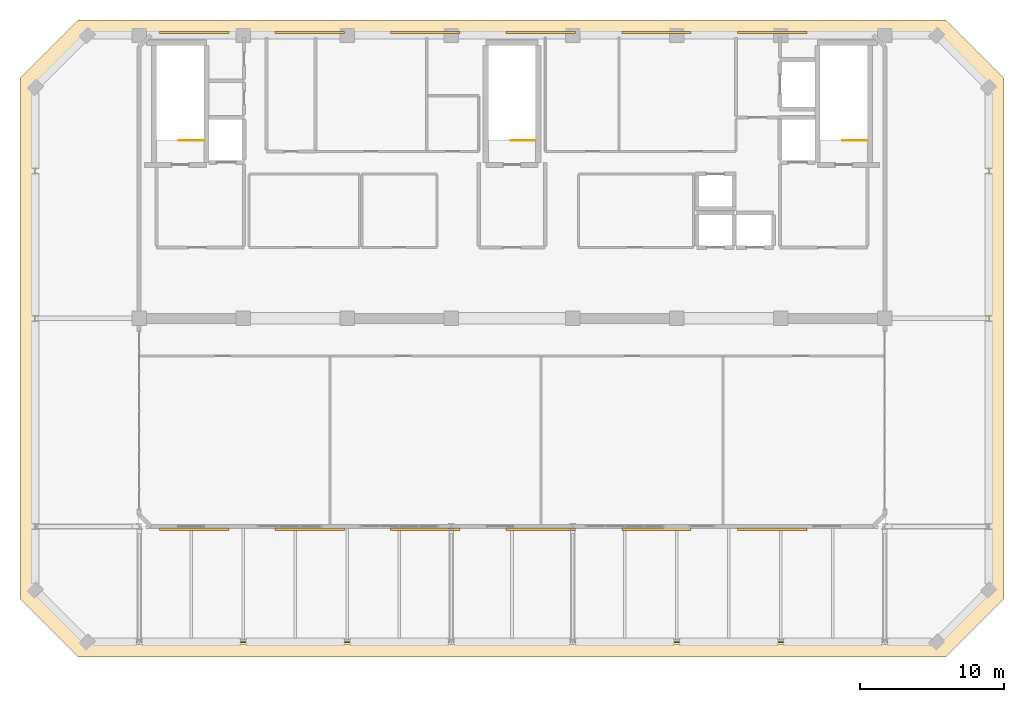
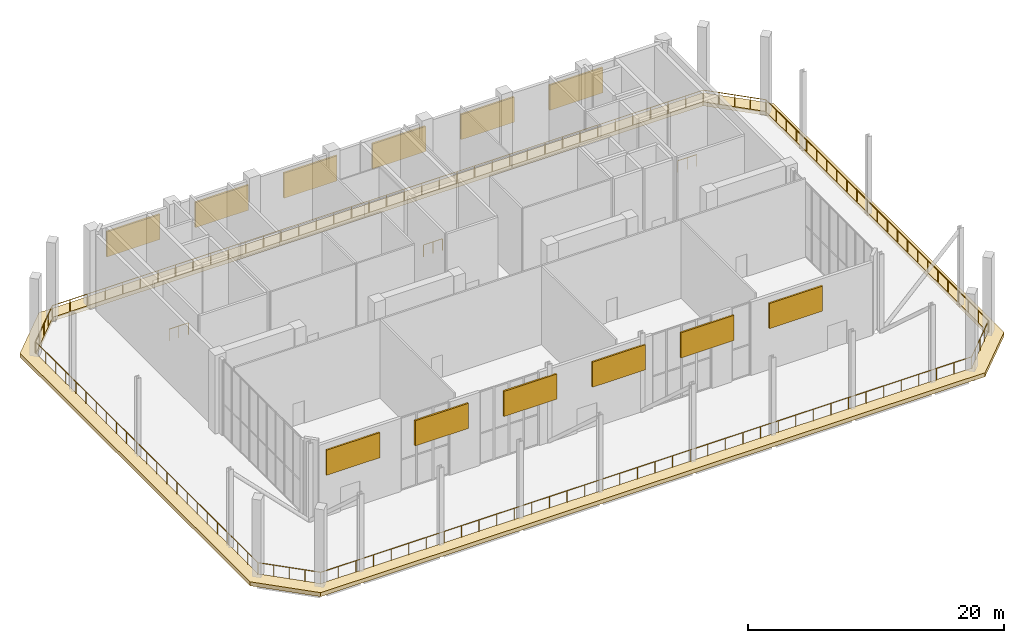
# One storey, part 23 of 23: 12 shading devices, 4 railings, 1 covering.
"""IFC4 building model written with IfcOpenShell, lengths in metres."""

from ifc_helpers import new_model, si_unit, direction, frame, origin, origin_2d, place, context, subcontext, project, spatial, polyline, rectangle, outline, extrude, material, layer, layer_set, type_object, element, save


model = new_model("IFC4")

# Units and contexts
model_context = context("Model", 3, precision=1e-05, world=origin(), true_north=direction((0.0, 1.0)))
body_context = subcontext(model_context, "Body", "Model", "MODEL_VIEW")
ifc_project = project(units=[si_unit("LENGTHUNIT", "METRE"), si_unit("AREAUNIT", "SQUARE_METRE"), si_unit("VOLUMEUNIT", "CUBIC_METRE"), si_unit("PLANEANGLEUNIT", "RADIAN"), si_unit("MASSUNIT", "GRAM", prefix="KILO")], contexts=[model_context])

# Site, building, storey
site_placement = place(None, origin())
site = spatial("IfcSite", under=ifc_project, at=site_placement, CompositionType="ELEMENT")
building_placement = place(site_placement, origin())
building = spatial("IfcBuilding", under=site, at=building_placement, Name="Kaelvorn Grand Hotel", CompositionType="ELEMENT")
storey_placement = place(building_placement, frame((0.0, 0.0, 310.699951171875)))
storey = spatial("IfcBuildingStorey", under=building, at=storey_placement, Name="L75", CompositionType="ELEMENT", Elevation=310.699951171875)

# Covering
ifc_material_1 = material(Name="Precast concrete C45/55", Category="concrete")
ifc_layer = layer(ifc_material_1, 0.260009765625)
ifc_layer_set = layer_set([ifc_layer], Name="Precast concrete C45/55")
covering_type = type_object("IfcCoveringType", Name="COV-BAND-STREAMLINE-HEAD", PredefinedType="CLADDING", material=ifc_layer_set)
covering_placement = place(storey_placement, frame((0.0, 0.0, -0.300048828125)))
element("IfcCovering", 1, at=covering_placement, inside=storey, type_object=covering_type, Name="L75 Streamline Moderne Wraparound Horizontal Eyebrow Band", PredefinedType="CLADDING", context=body_context, shape_type="SweptSolid", body=[
    extrude(outline(polyline([(11.989990234375, 5.949951171875), (72.010009765625, 5.949951171875), (76.050048828125, 9.989990234375), (76.050048828125, 46.010009765625), (72.010009765625, 50.050048828125), (11.989990234375, 50.050048828125), (7.949951171875, 46.010009765625), (7.949951171875, 9.989990234375), (11.989990234375, 5.949951171875)]), holes=[polyline([(12.6201171875, 7.030029296875), (71.3798828125, 7.030029296875), (74.969970703125, 10.6201171875), (74.969970703125, 45.3798828125), (71.3798828125, 48.969970703125), (12.6201171875, 48.969970703125), (9.030029296875, 45.3798828125), (9.030029296875, 10.6201171875), (12.6201171875, 7.030029296875)])]), origin(), (0.0, 0.0, 1.0), 0.380126953125),
])

# Railings
ifc_material_2 = material(Name="Stainless Steel", Category="steel")
railing_type_1 = type_object("IfcRailingType", Name="RL-OBS-1200", PredefinedType="BALUSTRADE", material=ifc_material_2)
railing_1_placement = place(storey_placement, frame((12.60009765625, 7.0, 0.0)))
element("IfcRailing", 2, at=railing_1_placement, inside=storey, type_object=railing_type_1, Name="L75 Open Observation Deck Perimeter Balustrade", PredefinedType="BALUSTRADE", context=body_context, shape_type="SweptSolid", body=[
    extrude(rectangle(XDim=0.048095703125, YDim=0.048095703125, at=origin_2d()), frame((0.0, 0.0, 1.17578125), z_axis=(1.0, 0.0, 0.0), x_axis=(0.0, 1.0, 0.0)), (0.0, 0.0, 1.0), 58.7998046875),
    extrude(rectangle(XDim=0.048095703125, YDim=0.048095703125, at=origin_2d()), frame((58.7998046875, 0.0, 1.17578125), z_axis=(0.707106781187, 0.707106781187, 0.0), x_axis=(-0.707106781187, 0.707106781187, 0.0)), (0.0, 0.0, 1.0), 5.09130859375),
    extrude(rectangle(XDim=0.048095703125, YDim=0.048095703125, at=origin_2d()), frame((62.39990234375, 3.60009765625, 1.17578125), z_axis=(0.0, 1.0, 0.0), x_axis=(-1.0, 0.0, 0.0)), (0.0, 0.0, 1.0), 34.7998046875),
    extrude(rectangle(XDim=0.048095703125, YDim=0.048095703125, at=origin_2d()), frame((62.39990234375, 38.39990234375, 1.17578125), z_axis=(-0.707106781187, 0.707106781187, 0.0), x_axis=(-0.707106781187, -0.707106781187, 0.0)), (0.0, 0.0, 1.0), 5.09130859375),
    extrude(rectangle(XDim=0.048095703125, YDim=0.048095703125, at=origin_2d()), frame((58.7998046875, 42.0, 1.17578125), z_axis=(-1.0, 0.0, 0.0), x_axis=(0.0, -1.0, 0.0)), (0.0, 0.0, 1.0), 58.7998046875),
    extrude(rectangle(XDim=0.048095703125, YDim=0.048095703125, at=origin_2d()), frame((0.0, 42.0, 1.17578125), z_axis=(-0.707106781187, -0.707106781187, 0.0), x_axis=(0.707106781187, -0.707106781187, 0.0)), (0.0, 0.0, 1.0), 5.09130859375),
    extrude(rectangle(XDim=0.048095703125, YDim=0.048095703125, at=origin_2d()), frame((-3.60009765625, 38.39990234375, 1.17578125), z_axis=(0.0, -1.0, 0.0), x_axis=(1.0, 0.0, 0.0)), (0.0, 0.0, 1.0), 34.7998046875),
    extrude(rectangle(XDim=0.048095703125, YDim=0.048095703125, at=origin_2d()), frame((-3.60009765625, 3.60009765625, 1.17578125), z_axis=(0.707106781187, -0.707106781187, 0.0), x_axis=(0.707106781187, 0.707106781187, 0.0)), (0.0, 0.0, 1.0), 5.09130859375),
    extrude(rectangle(XDim=0.0419921875, YDim=0.0419921875, at=origin_2d()), origin(), (0.0, 0.0, 1.0), 1.15185546875),
    extrude(rectangle(XDim=0.0419921875, YDim=0.0419921875, at=origin_2d()), frame((1.589111328125, 0.0, 0.0)), (0.0, 0.0, 1.0), 1.15185546875),
    extrude(rectangle(XDim=0.0419921875, YDim=0.0419921875, at=origin_2d()), frame((3.178466796875, 0.0, 0.0)), (0.0, 0.0, 1.0), 1.15185546875),
    extrude(rectangle(XDim=0.0419921875, YDim=0.0419921875, at=origin_2d()), frame((4.767578125, 0.0, 0.0)), (0.0, 0.0, 1.0), 1.15185546875),
    extrude(rectangle(XDim=0.0419921875, YDim=0.0419921875, at=origin_2d()), frame((6.356689453125, 0.0, 0.0)), (0.0, 0.0, 1.0), 1.15185546875),
    extrude(rectangle(XDim=0.0419921875, YDim=0.0419921875, at=origin_2d()), frame((7.94580078125, 0.0, 0.0)), (0.0, 0.0, 1.0), 1.15185546875),
    extrude(rectangle(XDim=0.0419921875, YDim=0.0419921875, at=origin_2d()), frame((9.53515625, 0.0, 0.0)), (0.0, 0.0, 1.0), 1.15185546875),
    extrude(rectangle(XDim=0.0419921875, YDim=0.0419921875, at=origin_2d()), frame((11.124267578125, 0.0, 0.0)), (0.0, 0.0, 1.0), 1.15185546875),
    extrude(rectangle(XDim=0.0419921875, YDim=0.0419921875, at=origin_2d()), frame((12.71337890625, 0.0, 0.0)), (0.0, 0.0, 1.0), 1.15185546875),
    extrude(rectangle(XDim=0.0419921875, YDim=0.0419921875, at=origin_2d()), frame((14.302734375, 0.0, 0.0)), (0.0, 0.0, 1.0), 1.15185546875),
    extrude(rectangle(XDim=0.0419921875, YDim=0.0419921875, at=origin_2d()), frame((15.891845703125, 0.0, 0.0)), (0.0, 0.0, 1.0), 1.15185546875),
    extrude(rectangle(XDim=0.0419921875, YDim=0.0419921875, at=origin_2d()), frame((17.48095703125, 0.0, 0.0)), (0.0, 0.0, 1.0), 1.15185546875),
    extrude(rectangle(XDim=0.0419921875, YDim=0.0419921875, at=origin_2d()), frame((19.0703125, 0.0, 0.0)), (0.0, 0.0, 1.0), 1.15185546875),
    extrude(rectangle(XDim=0.0419921875, YDim=0.0419921875, at=origin_2d()), frame((20.659423828125, 0.0, 0.0)), (0.0, 0.0, 1.0), 1.15185546875),
    extrude(rectangle(XDim=0.0419921875, YDim=0.0419921875, at=origin_2d()), frame((22.24853515625, 0.0, 0.0)), (0.0, 0.0, 1.0), 1.15185546875),
    extrude(rectangle(XDim=0.0419921875, YDim=0.0419921875, at=origin_2d()), frame((23.837646484375, 0.0, 0.0)), (0.0, 0.0, 1.0), 1.15185546875),
    extrude(rectangle(XDim=0.0419921875, YDim=0.0419921875, at=origin_2d()), frame((25.427001953125, 0.0, 0.0)), (0.0, 0.0, 1.0), 1.15185546875),
    extrude(rectangle(XDim=0.0419921875, YDim=0.0419921875, at=origin_2d()), frame((27.01611328125, 0.0, 0.0)), (0.0, 0.0, 1.0), 1.15185546875),
    extrude(rectangle(XDim=0.0419921875, YDim=0.0419921875, at=origin_2d()), frame((28.605224609375, 0.0, 0.0)), (0.0, 0.0, 1.0), 1.15185546875),
    extrude(rectangle(XDim=0.0419921875, YDim=0.0419921875, at=origin_2d()), frame((30.194580078125, 0.0, 0.0)), (0.0, 0.0, 1.0), 1.15185546875),
    extrude(rectangle(XDim=0.0419921875, YDim=0.0419921875, at=origin_2d()), frame((31.78369140625, 0.0, 0.0)), (0.0, 0.0, 1.0), 1.15185546875),
    extrude(rectangle(XDim=0.0419921875, YDim=0.0419921875, at=origin_2d()), frame((33.372802734375, 0.0, 0.0)), (0.0, 0.0, 1.0), 1.15185546875),
    extrude(rectangle(XDim=0.0419921875, YDim=0.0419921875, at=origin_2d()), frame((34.962158203125, 0.0, 0.0)), (0.0, 0.0, 1.0), 1.15185546875),
    extrude(rectangle(XDim=0.0419921875, YDim=0.0419921875, at=origin_2d()), frame((36.55126953125, 0.0, 0.0)), (0.0, 0.0, 1.0), 1.15185546875),
    extrude(rectangle(XDim=0.0419921875, YDim=0.0419921875, at=origin_2d()), frame((38.140380859375, 0.0, 0.0)), (0.0, 0.0, 1.0), 1.15185546875),
    extrude(rectangle(XDim=0.0419921875, YDim=0.0419921875, at=origin_2d()), frame((39.7294921875, 0.0, 0.0)), (0.0, 0.0, 1.0), 1.15185546875),
    extrude(rectangle(XDim=0.0419921875, YDim=0.0419921875, at=origin_2d()), frame((41.31884765625, 0.0, 0.0)), (0.0, 0.0, 1.0), 1.15185546875),
    extrude(rectangle(XDim=0.0419921875, YDim=0.0419921875, at=origin_2d()), frame((42.907958984375, 0.0, 0.0)), (0.0, 0.0, 1.0), 1.15185546875),
    extrude(rectangle(XDim=0.0419921875, YDim=0.0419921875, at=origin_2d()), frame((44.4970703125, 0.0, 0.0)), (0.0, 0.0, 1.0), 1.15185546875),
    extrude(rectangle(XDim=0.0419921875, YDim=0.0419921875, at=origin_2d()), frame((46.08642578125, 0.0, 0.0)), (0.0, 0.0, 1.0), 1.15185546875),
    extrude(rectangle(XDim=0.0419921875, YDim=0.0419921875, at=origin_2d()), frame((47.675537109375, 0.0, 0.0)), (0.0, 0.0, 1.0), 1.15185546875),
    extrude(rectangle(XDim=0.0419921875, YDim=0.0419921875, at=origin_2d()), frame((49.2646484375, 0.0, 0.0)), (0.0, 0.0, 1.0), 1.15185546875),
    extrude(rectangle(XDim=0.0419921875, YDim=0.0419921875, at=origin_2d()), frame((50.85400390625, 0.0, 0.0)), (0.0, 0.0, 1.0), 1.15185546875),
    extrude(rectangle(XDim=0.0419921875, YDim=0.0419921875, at=origin_2d()), frame((52.443115234375, 0.0, 0.0)), (0.0, 0.0, 1.0), 1.15185546875),
    extrude(rectangle(XDim=0.0419921875, YDim=0.0419921875, at=origin_2d()), frame((54.0322265625, 0.0, 0.0)), (0.0, 0.0, 1.0), 1.15185546875),
    extrude(rectangle(XDim=0.0419921875, YDim=0.0419921875, at=origin_2d()), frame((55.621337890625, 0.0, 0.0)), (0.0, 0.0, 1.0), 1.15185546875),
    extrude(rectangle(XDim=0.0419921875, YDim=0.0419921875, at=origin_2d()), frame((57.210693359375, 0.0, 0.0)), (0.0, 0.0, 1.0), 1.15185546875),
    extrude(rectangle(XDim=0.0419921875, YDim=0.0419921875, at=origin_2d()), frame((58.7998046875, 0.0, 0.0)), (0.0, 0.0, 1.0), 1.15185546875),
    extrude(rectangle(XDim=0.0419921875, YDim=0.0419921875, at=origin_2d()), frame((59.69970703125, 0.89990234375, 0.0)), (0.0, 0.0, 1.0), 1.15185546875),
    extrude(rectangle(XDim=0.0419921875, YDim=0.0419921875, at=origin_2d()), frame((60.599853515625, 1.800048828125, 0.0)), (0.0, 0.0, 1.0), 1.15185546875),
    extrude(rectangle(XDim=0.0419921875, YDim=0.0419921875, at=origin_2d()), frame((61.5, 2.7001953125, 0.0)), (0.0, 0.0, 1.0), 1.15185546875),
    extrude(rectangle(XDim=0.0419921875, YDim=0.0419921875, at=origin_2d()), frame((62.39990234375, 3.60009765625, 0.0)), (0.0, 0.0, 1.0), 1.15185546875),
    extrude(rectangle(XDim=0.0419921875, YDim=0.0419921875, at=origin_2d()), frame((62.39990234375, 5.181884765625, 0.0)), (0.0, 0.0, 1.0), 1.15185546875),
    extrude(rectangle(XDim=0.0419921875, YDim=0.0419921875, at=origin_2d()), frame((62.39990234375, 6.763671875, 0.0)), (0.0, 0.0, 1.0), 1.15185546875),
    extrude(rectangle(XDim=0.0419921875, YDim=0.0419921875, at=origin_2d()), frame((62.39990234375, 8.345458984375, 0.0)), (0.0, 0.0, 1.0), 1.15185546875),
    extrude(rectangle(XDim=0.0419921875, YDim=0.0419921875, at=origin_2d()), frame((62.39990234375, 9.92724609375, 0.0)), (0.0, 0.0, 1.0), 1.15185546875),
    extrude(rectangle(XDim=0.0419921875, YDim=0.0419921875, at=origin_2d()), frame((62.39990234375, 11.509033203125, 0.0)), (0.0, 0.0, 1.0), 1.15185546875),
    extrude(rectangle(XDim=0.0419921875, YDim=0.0419921875, at=origin_2d()), frame((62.39990234375, 13.091064453125, 0.0)), (0.0, 0.0, 1.0), 1.15185546875),
    extrude(rectangle(XDim=0.0419921875, YDim=0.0419921875, at=origin_2d()), frame((62.39990234375, 14.6728515625, 0.0)), (0.0, 0.0, 1.0), 1.15185546875),
    extrude(rectangle(XDim=0.0419921875, YDim=0.0419921875, at=origin_2d()), frame((62.39990234375, 16.254638671875, 0.0)), (0.0, 0.0, 1.0), 1.15185546875),
    extrude(rectangle(XDim=0.0419921875, YDim=0.0419921875, at=origin_2d()), frame((62.39990234375, 17.83642578125, 0.0)), (0.0, 0.0, 1.0), 1.15185546875),
    extrude(rectangle(XDim=0.0419921875, YDim=0.0419921875, at=origin_2d()), frame((62.39990234375, 19.418212890625, 0.0)), (0.0, 0.0, 1.0), 1.15185546875),
    extrude(rectangle(XDim=0.0419921875, YDim=0.0419921875, at=origin_2d()), frame((62.39990234375, 21.0, 0.0)), (0.0, 0.0, 1.0), 1.15185546875),
    extrude(rectangle(XDim=0.0419921875, YDim=0.0419921875, at=origin_2d()), frame((62.39990234375, 22.581787109375, 0.0)), (0.0, 0.0, 1.0), 1.15185546875),
    extrude(rectangle(XDim=0.0419921875, YDim=0.0419921875, at=origin_2d()), frame((62.39990234375, 24.16357421875, 0.0)), (0.0, 0.0, 1.0), 1.15185546875),
    extrude(rectangle(XDim=0.0419921875, YDim=0.0419921875, at=origin_2d()), frame((62.39990234375, 25.745361328125, 0.0)), (0.0, 0.0, 1.0), 1.15185546875),
    extrude(rectangle(XDim=0.0419921875, YDim=0.0419921875, at=origin_2d()), frame((62.39990234375, 27.3271484375, 0.0)), (0.0, 0.0, 1.0), 1.15185546875),
    extrude(rectangle(XDim=0.0419921875, YDim=0.0419921875, at=origin_2d()), frame((62.39990234375, 28.908935546875, 0.0)), (0.0, 0.0, 1.0), 1.15185546875),
    extrude(rectangle(XDim=0.0419921875, YDim=0.0419921875, at=origin_2d()), frame((62.39990234375, 30.490966796875, 0.0)), (0.0, 0.0, 1.0), 1.15185546875),
    extrude(rectangle(XDim=0.0419921875, YDim=0.0419921875, at=origin_2d()), frame((62.39990234375, 32.07275390625, 0.0)), (0.0, 0.0, 1.0), 1.15185546875),
    extrude(rectangle(XDim=0.0419921875, YDim=0.0419921875, at=origin_2d()), frame((62.39990234375, 33.654541015625, 0.0)), (0.0, 0.0, 1.0), 1.15185546875),
    extrude(rectangle(XDim=0.0419921875, YDim=0.0419921875, at=origin_2d()), frame((62.39990234375, 35.236328125, 0.0)), (0.0, 0.0, 1.0), 1.15185546875),
    extrude(rectangle(XDim=0.0419921875, YDim=0.0419921875, at=origin_2d()), frame((62.39990234375, 36.818115234375, 0.0)), (0.0, 0.0, 1.0), 1.15185546875),
    extrude(rectangle(XDim=0.0419921875, YDim=0.0419921875, at=origin_2d()), frame((62.39990234375, 38.39990234375, 0.0)), (0.0, 0.0, 1.0), 1.15185546875),
    extrude(rectangle(XDim=0.0419921875, YDim=0.0419921875, at=origin_2d()), frame((61.5, 39.2998046875, 0.0)), (0.0, 0.0, 1.0), 1.15185546875),
    extrude(rectangle(XDim=0.0419921875, YDim=0.0419921875, at=origin_2d()), frame((60.599853515625, 40.199951171875, 0.0)), (0.0, 0.0, 1.0), 1.15185546875),
    extrude(rectangle(XDim=0.0419921875, YDim=0.0419921875, at=origin_2d()), frame((59.69970703125, 41.10009765625, 0.0)), (0.0, 0.0, 1.0), 1.15185546875),
    extrude(rectangle(XDim=0.0419921875, YDim=0.0419921875, at=origin_2d()), frame((58.7998046875, 42.0, 0.0)), (0.0, 0.0, 1.0), 1.15185546875),
    extrude(rectangle(XDim=0.0419921875, YDim=0.0419921875, at=origin_2d()), frame((57.210693359375, 42.0, 0.0)), (0.0, 0.0, 1.0), 1.15185546875),
    extrude(rectangle(XDim=0.0419921875, YDim=0.0419921875, at=origin_2d()), frame((55.621337890625, 42.0, 0.0)), (0.0, 0.0, 1.0), 1.15185546875),
    extrude(rectangle(XDim=0.0419921875, YDim=0.0419921875, at=origin_2d()), frame((54.0322265625, 42.0, 0.0)), (0.0, 0.0, 1.0), 1.15185546875),
    extrude(rectangle(XDim=0.0419921875, YDim=0.0419921875, at=origin_2d()), frame((52.443115234375, 42.0, 0.0)), (0.0, 0.0, 1.0), 1.15185546875),
    extrude(rectangle(XDim=0.0419921875, YDim=0.0419921875, at=origin_2d()), frame((50.85400390625, 42.0, 0.0)), (0.0, 0.0, 1.0), 1.15185546875),
    extrude(rectangle(XDim=0.0419921875, YDim=0.0419921875, at=origin_2d()), frame((49.2646484375, 42.0, 0.0)), (0.0, 0.0, 1.0), 1.15185546875),
    extrude(rectangle(XDim=0.0419921875, YDim=0.0419921875, at=origin_2d()), frame((47.675537109375, 42.0, 0.0)), (0.0, 0.0, 1.0), 1.15185546875),
    extrude(rectangle(XDim=0.0419921875, YDim=0.0419921875, at=origin_2d()), frame((46.08642578125, 42.0, 0.0)), (0.0, 0.0, 1.0), 1.15185546875),
    extrude(rectangle(XDim=0.0419921875, YDim=0.0419921875, at=origin_2d()), frame((44.4970703125, 42.0, 0.0)), (0.0, 0.0, 1.0), 1.15185546875),
    extrude(rectangle(XDim=0.0419921875, YDim=0.0419921875, at=origin_2d()), frame((42.907958984375, 42.0, 0.0)), (0.0, 0.0, 1.0), 1.15185546875),
    extrude(rectangle(XDim=0.0419921875, YDim=0.0419921875, at=origin_2d()), frame((41.31884765625, 42.0, 0.0)), (0.0, 0.0, 1.0), 1.15185546875),
    extrude(rectangle(XDim=0.0419921875, YDim=0.0419921875, at=origin_2d()), frame((39.7294921875, 42.0, 0.0)), (0.0, 0.0, 1.0), 1.15185546875),
    extrude(rectangle(XDim=0.0419921875, YDim=0.0419921875, at=origin_2d()), frame((38.140380859375, 42.0, 0.0)), (0.0, 0.0, 1.0), 1.15185546875),
    extrude(rectangle(XDim=0.0419921875, YDim=0.0419921875, at=origin_2d()), frame((36.55126953125, 42.0, 0.0)), (0.0, 0.0, 1.0), 1.15185546875),
    extrude(rectangle(XDim=0.0419921875, YDim=0.0419921875, at=origin_2d()), frame((34.962158203125, 42.0, 0.0)), (0.0, 0.0, 1.0), 1.15185546875),
    extrude(rectangle(XDim=0.0419921875, YDim=0.0419921875, at=origin_2d()), frame((33.372802734375, 42.0, 0.0)), (0.0, 0.0, 1.0), 1.15185546875),
    extrude(rectangle(XDim=0.0419921875, YDim=0.0419921875, at=origin_2d()), frame((31.78369140625, 42.0, 0.0)), (0.0, 0.0, 1.0), 1.15185546875),
    extrude(rectangle(XDim=0.0419921875, YDim=0.0419921875, at=origin_2d()), frame((30.194580078125, 42.0, 0.0)), (0.0, 0.0, 1.0), 1.15185546875),
    extrude(rectangle(XDim=0.0419921875, YDim=0.0419921875, at=origin_2d()), frame((28.605224609375, 42.0, 0.0)), (0.0, 0.0, 1.0), 1.15185546875),
    extrude(rectangle(XDim=0.0419921875, YDim=0.0419921875, at=origin_2d()), frame((27.01611328125, 42.0, 0.0)), (0.0, 0.0, 1.0), 1.15185546875),
    extrude(rectangle(XDim=0.0419921875, YDim=0.0419921875, at=origin_2d()), frame((25.427001953125, 42.0, 0.0)), (0.0, 0.0, 1.0), 1.15185546875),
    extrude(rectangle(XDim=0.0419921875, YDim=0.0419921875, at=origin_2d()), frame((23.837646484375, 42.0, 0.0)), (0.0, 0.0, 1.0), 1.15185546875),
    extrude(rectangle(XDim=0.0419921875, YDim=0.0419921875, at=origin_2d()), frame((22.24853515625, 42.0, 0.0)), (0.0, 0.0, 1.0), 1.15185546875),
    extrude(rectangle(XDim=0.0419921875, YDim=0.0419921875, at=origin_2d()), frame((20.659423828125, 42.0, 0.0)), (0.0, 0.0, 1.0), 1.15185546875),
    extrude(rectangle(XDim=0.0419921875, YDim=0.0419921875, at=origin_2d()), frame((19.0703125, 42.0, 0.0)), (0.0, 0.0, 1.0), 1.15185546875),
    extrude(rectangle(XDim=0.0419921875, YDim=0.0419921875, at=origin_2d()), frame((17.48095703125, 42.0, 0.0)), (0.0, 0.0, 1.0), 1.15185546875),
    extrude(rectangle(XDim=0.0419921875, YDim=0.0419921875, at=origin_2d()), frame((15.891845703125, 42.0, 0.0)), (0.0, 0.0, 1.0), 1.15185546875),
    extrude(rectangle(XDim=0.0419921875, YDim=0.0419921875, at=origin_2d()), frame((14.302734375, 42.0, 0.0)), (0.0, 0.0, 1.0), 1.15185546875),
    extrude(rectangle(XDim=0.0419921875, YDim=0.0419921875, at=origin_2d()), frame((12.71337890625, 42.0, 0.0)), (0.0, 0.0, 1.0), 1.15185546875),
    extrude(rectangle(XDim=0.0419921875, YDim=0.0419921875, at=origin_2d()), frame((11.124267578125, 42.0, 0.0)), (0.0, 0.0, 1.0), 1.15185546875),
    extrude(rectangle(XDim=0.0419921875, YDim=0.0419921875, at=origin_2d()), frame((9.53515625, 42.0, 0.0)), (0.0, 0.0, 1.0), 1.15185546875),
    extrude(rectangle(XDim=0.0419921875, YDim=0.0419921875, at=origin_2d()), frame((7.94580078125, 42.0, 0.0)), (0.0, 0.0, 1.0), 1.15185546875),
    extrude(rectangle(XDim=0.0419921875, YDim=0.0419921875, at=origin_2d()), frame((6.356689453125, 42.0, 0.0)), (0.0, 0.0, 1.0), 1.15185546875),
    extrude(rectangle(XDim=0.0419921875, YDim=0.0419921875, at=origin_2d()), frame((4.767578125, 42.0, 0.0)), (0.0, 0.0, 1.0), 1.15185546875),
    extrude(rectangle(XDim=0.0419921875, YDim=0.0419921875, at=origin_2d()), frame((3.178466796875, 42.0, 0.0)), (0.0, 0.0, 1.0), 1.15185546875),
    extrude(rectangle(XDim=0.0419921875, YDim=0.0419921875, at=origin_2d()), frame((1.589111328125, 42.0, 0.0)), (0.0, 0.0, 1.0), 1.15185546875),
    extrude(rectangle(XDim=0.0419921875, YDim=0.0419921875, at=origin_2d()), frame((0.0, 42.0, 0.0)), (0.0, 0.0, 1.0), 1.15185546875),
    extrude(rectangle(XDim=0.0419921875, YDim=0.0419921875, at=origin_2d()), frame((-0.89990234375, 41.10009765625, 0.0)), (0.0, 0.0, 1.0), 1.15185546875),
    extrude(rectangle(XDim=0.0419921875, YDim=0.0419921875, at=origin_2d()), frame((-1.800048828125, 40.199951171875, 0.0)), (0.0, 0.0, 1.0), 1.15185546875),
    extrude(rectangle(XDim=0.0419921875, YDim=0.0419921875, at=origin_2d()), frame((-2.7001953125, 39.2998046875, 0.0)), (0.0, 0.0, 1.0), 1.15185546875),
    extrude(rectangle(XDim=0.0419921875, YDim=0.0419921875, at=origin_2d()), frame((-3.60009765625, 38.39990234375, 0.0)), (0.0, 0.0, 1.0), 1.15185546875),
    extrude(rectangle(XDim=0.0419921875, YDim=0.0419921875, at=origin_2d()), frame((-3.60009765625, 36.818115234375, 0.0)), (0.0, 0.0, 1.0), 1.15185546875),
    extrude(rectangle(XDim=0.0419921875, YDim=0.0419921875, at=origin_2d()), frame((-3.60009765625, 35.236328125, 0.0)), (0.0, 0.0, 1.0), 1.15185546875),
    extrude(rectangle(XDim=0.0419921875, YDim=0.0419921875, at=origin_2d()), frame((-3.60009765625, 33.654541015625, 0.0)), (0.0, 0.0, 1.0), 1.15185546875),
    extrude(rectangle(XDim=0.0419921875, YDim=0.0419921875, at=origin_2d()), frame((-3.60009765625, 32.07275390625, 0.0)), (0.0, 0.0, 1.0), 1.15185546875),
    extrude(rectangle(XDim=0.0419921875, YDim=0.0419921875, at=origin_2d()), frame((-3.60009765625, 30.490966796875, 0.0)), (0.0, 0.0, 1.0), 1.15185546875),
    extrude(rectangle(XDim=0.0419921875, YDim=0.0419921875, at=origin_2d()), frame((-3.60009765625, 28.908935546875, 0.0)), (0.0, 0.0, 1.0), 1.15185546875),
    extrude(rectangle(XDim=0.0419921875, YDim=0.0419921875, at=origin_2d()), frame((-3.60009765625, 27.3271484375, 0.0)), (0.0, 0.0, 1.0), 1.15185546875),
    extrude(rectangle(XDim=0.0419921875, YDim=0.0419921875, at=origin_2d()), frame((-3.60009765625, 25.745361328125, 0.0)), (0.0, 0.0, 1.0), 1.15185546875),
    extrude(rectangle(XDim=0.0419921875, YDim=0.0419921875, at=origin_2d()), frame((-3.60009765625, 24.16357421875, 0.0)), (0.0, 0.0, 1.0), 1.15185546875),
    extrude(rectangle(XDim=0.0419921875, YDim=0.0419921875, at=origin_2d()), frame((-3.60009765625, 22.581787109375, 0.0)), (0.0, 0.0, 1.0), 1.15185546875),
    extrude(rectangle(XDim=0.0419921875, YDim=0.0419921875, at=origin_2d()), frame((-3.60009765625, 21.0, 0.0)), (0.0, 0.0, 1.0), 1.15185546875),
    extrude(rectangle(XDim=0.0419921875, YDim=0.0419921875, at=origin_2d()), frame((-3.60009765625, 19.418212890625, 0.0)), (0.0, 0.0, 1.0), 1.15185546875),
    extrude(rectangle(XDim=0.0419921875, YDim=0.0419921875, at=origin_2d()), frame((-3.60009765625, 17.83642578125, 0.0)), (0.0, 0.0, 1.0), 1.15185546875),
    extrude(rectangle(XDim=0.0419921875, YDim=0.0419921875, at=origin_2d()), frame((-3.60009765625, 16.254638671875, 0.0)), (0.0, 0.0, 1.0), 1.15185546875),
    extrude(rectangle(XDim=0.0419921875, YDim=0.0419921875, at=origin_2d()), frame((-3.60009765625, 14.6728515625, 0.0)), (0.0, 0.0, 1.0), 1.15185546875),
    extrude(rectangle(XDim=0.0419921875, YDim=0.0419921875, at=origin_2d()), frame((-3.60009765625, 13.091064453125, 0.0)), (0.0, 0.0, 1.0), 1.15185546875),
    extrude(rectangle(XDim=0.0419921875, YDim=0.0419921875, at=origin_2d()), frame((-3.60009765625, 11.509033203125, 0.0)), (0.0, 0.0, 1.0), 1.15185546875),
    extrude(rectangle(XDim=0.0419921875, YDim=0.0419921875, at=origin_2d()), frame((-3.60009765625, 9.92724609375, 0.0)), (0.0, 0.0, 1.0), 1.15185546875),
    extrude(rectangle(XDim=0.0419921875, YDim=0.0419921875, at=origin_2d()), frame((-3.60009765625, 8.345458984375, 0.0)), (0.0, 0.0, 1.0), 1.15185546875),
    extrude(rectangle(XDim=0.0419921875, YDim=0.0419921875, at=origin_2d()), frame((-3.60009765625, 6.763671875, 0.0)), (0.0, 0.0, 1.0), 1.15185546875),
    extrude(rectangle(XDim=0.0419921875, YDim=0.0419921875, at=origin_2d()), frame((-3.60009765625, 5.181884765625, 0.0)), (0.0, 0.0, 1.0), 1.15185546875),
    extrude(rectangle(XDim=0.0419921875, YDim=0.0419921875, at=origin_2d()), frame((-3.60009765625, 3.60009765625, 0.0)), (0.0, 0.0, 1.0), 1.15185546875),
    extrude(rectangle(XDim=0.0419921875, YDim=0.0419921875, at=origin_2d()), frame((-2.7001953125, 2.7001953125, 0.0)), (0.0, 0.0, 1.0), 1.15185546875),
    extrude(rectangle(XDim=0.0419921875, YDim=0.0419921875, at=origin_2d()), frame((-1.800048828125, 1.800048828125, 0.0)), (0.0, 0.0, 1.0), 1.15185546875),
    extrude(rectangle(XDim=0.0419921875, YDim=0.0419921875, at=origin_2d()), frame((-0.89990234375, 0.89990234375, 0.0)), (0.0, 0.0, 1.0), 1.15185546875),
])
railing_type_2 = type_object("IfcRailingType", Name="RL-STAIR-GUARD-1150", PredefinedType="BALUSTRADE", material=ifc_material_2)
for number, where, name in (
    (3, (20.679931640625, 41.7099609375, 0.0), "L75 ST1 top well guard 1"),
    (4, (43.639892578125, 41.7099609375, 0.0), "L75 ST2 top well guard 1"),
):
    element("IfcRailing", number, at=place(storey_placement, frame(where)), inside=storey, type_object=railing_type_2, Name=name, PredefinedType="BALUSTRADE", context=body_context, shape_type="SweptSolid", body=[
        extrude(rectangle(XDim=0.048095703125, YDim=0.048095703125, at=origin_2d()), frame((0.0, 0.0, 1.1259765625), z_axis=(-1.0, 0.0, 0.0), x_axis=(0.0, -1.0, 0.0)), (0.0, 0.0, 1.0), 1.719970703125),
        extrude(rectangle(XDim=0.0419921875, YDim=0.0419921875, at=origin_2d()), origin(), (0.0, 0.0, 1.0), 1.101806640625),
        extrude(rectangle(XDim=0.0419921875, YDim=0.0419921875, at=origin_2d()), frame((-0.85986328125, 0.0, 0.0)), (0.0, 0.0, 1.0), 1.101806640625),
        extrude(rectangle(XDim=0.0419921875, YDim=0.0419921875, at=origin_2d()), frame((-1.719970703125, 0.0, 0.0)), (0.0, 0.0, 1.0), 1.101806640625),
    ])
railing_2_placement = place(storey_placement, frame((66.60009765625, 41.7099609375, 0.0)))
element("IfcRailing", 5, at=railing_2_placement, inside=storey, type_object=railing_type_2, Name="L75 ST3 top well guard 1", PredefinedType="BALUSTRADE", context=body_context, shape_type="SweptSolid", body=[
    extrude(rectangle(XDim=0.048095703125, YDim=0.048095703125, at=origin_2d()), frame((0.0, 0.0, 1.1259765625), z_axis=(-1.0, 0.0, 0.0), x_axis=(0.0, -1.0, 0.0)), (0.0, 0.0, 1.0), 1.72021484375),
    extrude(rectangle(XDim=0.0419921875, YDim=0.0419921875, at=origin_2d()), origin(), (0.0, 0.0, 1.0), 1.101806640625),
    extrude(rectangle(XDim=0.0419921875, YDim=0.0419921875, at=origin_2d()), frame((-0.860107421875, 0.0, 0.0)), (0.0, 0.0, 1.0), 1.101806640625),
    extrude(rectangle(XDim=0.0419921875, YDim=0.0419921875, at=origin_2d()), frame((-1.72021484375, 0.0, 0.0)), (0.0, 0.0, 1.0), 1.101806640625),
])

# Shading devices
ifc_material_3 = material(Name="Anodised Aluminium", Category="aluminium")
shading_device_type = type_object("IfcShadingDeviceType", Name="SHD-LOUVRE-CROWN", PredefinedType="USERDEFINED", material=ifc_material_3)
for number, where, z_axis, x_axis, name in (
    (6, (20.0, 49.18994140625, 4.0), (0.0, 0.0, 1.0), (1.0, 0.0, 0.0), "L75 Crown MEP Aluminium Louvre Screen N1"),
    (7, (20.0, 14.81005859375, 4.0), (0.0, 0.0, 1.0), (1.0, 0.0, 0.0), "L75 Crown MEP Aluminium Louvre Screen S1"),
    (8, (28.0, 49.18994140625, 4.0), (0.0, 0.0, 1.0), (1.0, 0.0, 0.0), "L75 Crown MEP Aluminium Louvre Screen N2"),
    (9, (28.0, 14.81005859375, 4.0), (0.0, 0.0, 1.0), (1.0, 0.0, 0.0), "L75 Crown MEP Aluminium Louvre Screen S2"),
    (10, (36.0, 49.18994140625, 4.0), (0.0, 0.0, 1.0), (1.0, 0.0, 0.0), "L75 Crown MEP Aluminium Louvre Screen N3"),
    (11, (36.0, 14.81005859375, 4.0), (0.0, 0.0, 1.0), (1.0, 0.0, 0.0), "L75 Crown MEP Aluminium Louvre Screen S3"),
    (12, (44.0, 49.18994140625, 4.0), (0.0, 0.0, 1.0), (1.0, 0.0, 0.0), "L75 Crown MEP Aluminium Louvre Screen N4"),
    (13, (44.0, 14.81005859375, 4.0), (0.0, 0.0, 1.0), (1.0, 0.0, 0.0), "L75 Crown MEP Aluminium Louvre Screen S4"),
    (14, (52.0, 49.18994140625, 4.0), (0.0, 0.0, 1.0), (1.0, 0.0, 0.0), "L75 Crown MEP Aluminium Louvre Screen N5"),
    (15, (52.0, 14.81005859375, 4.0), (0.0, 0.0, 1.0), (1.0, 0.0, 0.0), "L75 Crown MEP Aluminium Louvre Screen S5"),
    (16, (60.0, 49.18994140625, 4.0), (0.0, 0.0, 1.0), (1.0, 0.0, 0.0), "L75 Crown MEP Aluminium Louvre Screen N6"),
    (17, (60.0, 14.81005859375, 4.0), (0.0, 0.0, 1.0), (1.0, 0.0, 0.0), "L75 Crown MEP Aluminium Louvre Screen S6"),
):
    element("IfcShadingDevice", number, at=place(storey_placement, frame(where, z_axis=z_axis, x_axis=x_axis)), inside=storey, type_object=shading_device_type, Name=name, ObjectType="LOUVRE", PredefinedType="USERDEFINED", context=body_context, shape_type="SweptSolid", body=[
        extrude(rectangle(XDim=4.800048828125, YDim=0.159912109375, at=origin_2d()), origin(), (0.0, 0.0, 1.0), 2.39990234375),
    ])

save(model, "model.ifc")
